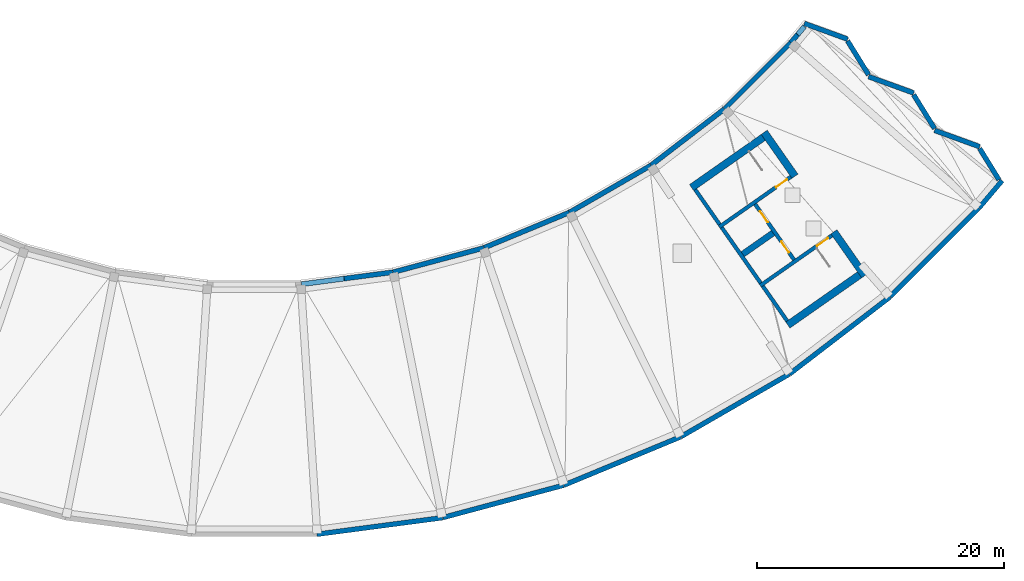
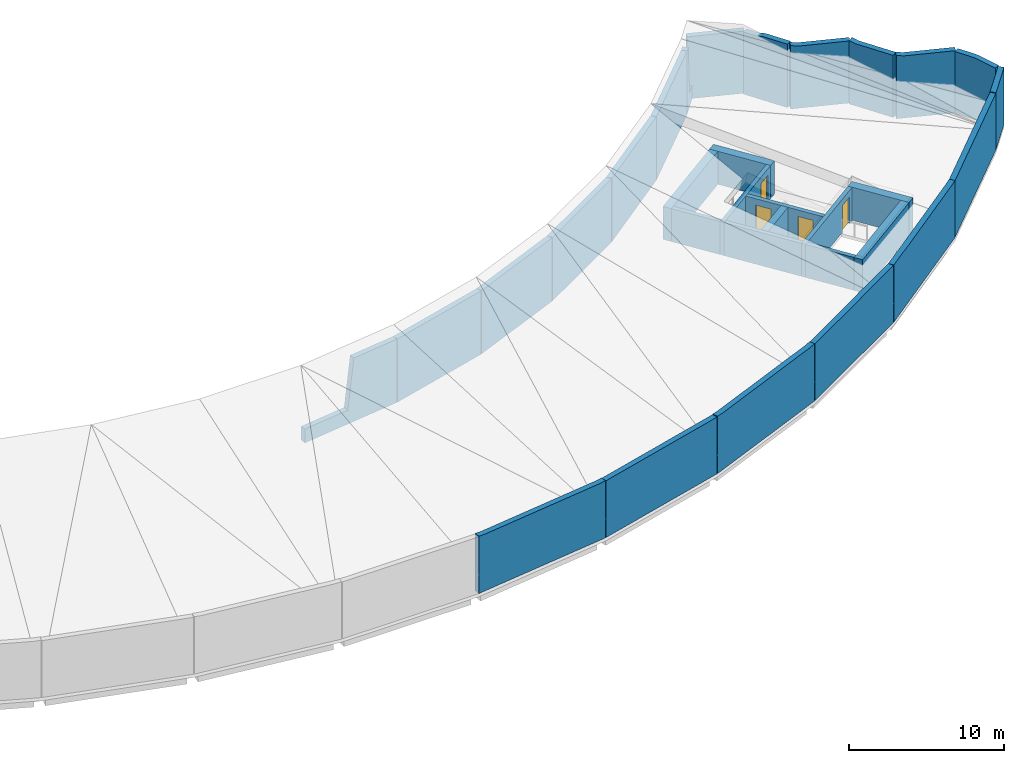
# One storey, part 5 of 6: 31 walls, 4 doors, 4 openings.
"""IFC4 building model written with IfcOpenShell, lengths in metres."""

from ifc_helpers import new_model, si_unit, direction, frame, frame_2d, origin, place, context, subcontext, project, spatial, polyline, rectangle, outline, extrude, material, layer, layer_set, type_object, element, fill, save


model = new_model("IFC4")

# Units and contexts
model_context = context("Model", 3, precision=1e-05, world=origin(), true_north=direction((0.0, 1.0)))
body_context = subcontext(model_context, "Body", "Model", "MODEL_VIEW")
ifc_project = project(units=[si_unit("LENGTHUNIT", "METRE"), si_unit("AREAUNIT", "SQUARE_METRE"), si_unit("VOLUMEUNIT", "CUBIC_METRE"), si_unit("PLANEANGLEUNIT", "RADIAN"), si_unit("MASSUNIT", "GRAM", prefix="KILO")], contexts=[model_context])

# Site, building, storey
site_placement = place(None, origin())
site = spatial("IfcSite", under=ifc_project, at=site_placement, CompositionType="ELEMENT")
building_placement = place(site_placement, origin())
building = spatial("IfcBuilding", under=site, at=building_placement, Name="Qamariyya Broadcast Tower", CompositionType="ELEMENT")
storey_placement = place(building_placement, frame((0.0, 0.0, 318.699951171875)))
storey = spatial("IfcBuildingStorey", under=building, at=storey_placement, Name="Roof", CompositionType="ELEMENT", Elevation=318.699951171875)

# Wall
ifc_material_1 = material(Name="Concrete C60/75", Category="concrete")
ifc_layer_1 = layer(ifc_material_1, 0.5)
ifc_layer_set_1 = layer_set([ifc_layer_1], Name="Head-house divider wall 500 mm Concrete C60/75")
wall_type_1 = type_object("IfcWallType", Name="Head-house divider wall 500 mm Concrete C60/75", PredefinedType="SOLIDWALL", material=ifc_layer_set_1)
wall_1_placement = place(storey_placement, frame((39.59912109375, -55.28515625, 0.0), z_axis=(0.0, 0.0, 1.0), x_axis=(0.819136323161, 0.573598887793, 0.0)))
element("IfcWall", 1, at=wall_1_placement, inside=storey, type_object=wall_type_1, Name="k-E-Roof-OD", PredefinedType="SOLIDWALL", context=body_context, shape_type="SweptSolid", body=[
    extrude(rectangle(XDim=2.999755859375, YDim=0.5, at=frame_2d((1.5, 0.0))), origin(), (0.0, 0.0, 1.0), 2.60009765625),
])

# Wall, opening, door
ifc_layer_2 = layer(ifc_material_1, 0.300048828125)
ifc_layer_set_2 = layer_set([ifc_layer_2], Name="Head-house enclosure wall 300 mm Concrete C60/75")
wall_type_2 = type_object("IfcWallType", Name="Head-house enclosure wall 300 mm Concrete C60/75", PredefinedType="SOLIDWALL", material=ifc_layer_set_2)
wall_2_placement = place(storey_placement, frame((37.68994140625, -53.081787109375, 0.0), z_axis=(0.0, 0.0, 1.0), x_axis=(0.819138151105, 0.573596277363, 0.0)))
wall_2 = element("IfcWall", 2, at=wall_2_placement, inside=storey, type_object=wall_type_2, Name="k-E-Roof-NHI", PredefinedType="SOLIDWALL", context=body_context, shape_type="SweptSolid", body=[
    extrude(rectangle(XDim=7.09521484375, YDim=0.300048828125, at=frame_2d((3.547607421875, 0.0))), origin(), (0.0, 0.0, 1.0), 2.60009765625),
])
opening_1_placement = place(wall_2_placement, frame((5.620361328125, 0.0, 0.0)))
opening_1 = element("IfcOpeningElement", 3, at=opening_1_placement, cuts=wall_2, Name="Opening KD1-E1", PredefinedType="OPENING", context=body_context, shape_type="SweptSolid", body=[
    extrude(rectangle(XDim=1.10009765625, YDim=2.10009765625, at=frame_2d((0.550048828125, 1.050048828125))), frame((0.0, 0.159912109375, 0.0), z_axis=(0.0, -1.0, 0.0), x_axis=(1.0, 0.0, 0.0)), (0.0, 0.0, 1.0), 0.320068359375),
])
ifc_material_2 = material(Name="Steel fire-resisting door leaf", Category="steel")
door_type_1 = type_object("IfcDoorType", Name="Stair door KD1", OperationType="SINGLE_SWING_LEFT", PredefinedType="DOOR", material=ifc_material_2)
door_1_placement = place(opening_1_placement, origin())
door_1 = element("IfcDoor", 4, at=door_1_placement, inside=storey, type_object=door_type_1, Name="k-E-Roof-NHI-D1", OperationType="SINGLE_SWING_LEFT", OverallHeight=2.10009765625, OverallWidth=1.10009765625, PredefinedType="DOOR", context=body_context, shape_type="SweptSolid", body=[
    extrude(rectangle(XDim=1.10009765625, YDim=2.10009765625, at=frame_2d((0.550048828125, 1.050048828125))), frame((0.0, 0.02490234375, 0.0), z_axis=(0.0, -1.0, 0.0), x_axis=(1.0, 0.0, 0.0)), (0.0, 0.0, 1.0), 0.050048828125),
])
fill(opening_1, door_1)

# Wall
wall_3_placement = place(storey_placement, frame((37.726806640625, -52.872802734375, 0.0), z_axis=(0.0, 0.0, 1.0), x_axis=(-0.573595312041, 0.819138827065, 0.0)))
element("IfcWall", 5, at=wall_3_placement, inside=storey, type_object=wall_type_2, Name="k-E-Roof-NHW", PredefinedType="SOLIDWALL", context=body_context, shape_type="SweptSolid", body=[
    extrude(rectangle(XDim=3.4501953125, YDim=0.300048828125, at=frame_2d((1.72509765625, 0.0))), origin(), (0.0, 0.0, 1.0), 2.60009765625),
])

# Wall, opening, door
wall_4_placement = place(storey_placement, frame((41.0166015625, -57.832763671875, 0.0), z_axis=(0.0, 0.0, 1.0), x_axis=(0.819165638072, 0.573557021927, 0.0)))
wall_4 = element("IfcWall", 6, at=wall_4_placement, inside=storey, type_object=wall_type_2, Name="k-E-Roof-SHI", PredefinedType="SOLIDWALL", context=body_context, shape_type="SweptSolid", body=[
    extrude(rectangle(XDim=7.09521484375, YDim=0.300048828125, at=frame_2d((3.547607421875, 0.0))), origin(), (0.0, 0.0, 1.0), 2.60009765625),
])
opening_2_placement = place(wall_4_placement, frame((5.620361328125, 0.0, 0.0)))
opening_2 = element("IfcOpeningElement", 7, at=opening_2_placement, cuts=wall_4, Name="Opening KD1-E2", PredefinedType="OPENING", context=body_context, shape_type="SweptSolid", body=[
    extrude(rectangle(XDim=1.10009765625, YDim=2.10009765625, at=frame_2d((0.550048828125, 1.050048828125))), frame((0.0, 0.159912109375, 0.0), z_axis=(0.0, -1.0, 0.0), x_axis=(1.0, 0.0, 0.0)), (0.0, 0.0, 1.0), 0.320068359375),
])
door_2_placement = place(opening_2_placement, origin())
door_2 = element("IfcDoor", 8, at=door_2_placement, inside=storey, type_object=door_type_1, Name="k-E-Roof-SHI-D2", OperationType="SINGLE_SWING_RIGHT", OverallHeight=2.10009765625, OverallWidth=1.10009765625, PredefinedType="DOOR", context=body_context, shape_type="SweptSolid", body=[
    extrude(rectangle(XDim=1.10009765625, YDim=2.10009765625, at=frame_2d((0.550048828125, 1.050048828125))), frame((0.0, 0.02490234375, 0.0), z_axis=(0.0, -1.0, 0.0), x_axis=(1.0, 0.0, 0.0)), (0.0, 0.0, 1.0), 0.050048828125),
])
fill(opening_2, door_2)

# Walls
wall_5_placement = place(storey_placement, frame((41.2255859375, -57.86962890625, 0.0), z_axis=(0.0, 0.0, 1.0), x_axis=(0.573547828788, -0.819172074776, 0.0)))
element("IfcWall", 9, at=wall_5_placement, inside=storey, type_object=wall_type_2, Name="k-E-Roof-SHW", PredefinedType="SOLIDWALL", context=body_context, shape_type="SweptSolid", body=[
    extrude(rectangle(XDim=3.449951171875, YDim=0.300048828125, at=frame_2d((1.72509765625, 0.0))), origin(), (0.0, 0.0, 1.0), 2.60009765625),
])
wall_6_placement = place(storey_placement, frame((41.053466796875, -57.623779296875, 0.0), z_axis=(0.0, 0.0, 1.0), x_axis=(-0.57358745946, 0.819144325714, 0.0)))
element("IfcWall", 10, at=wall_6_placement, inside=storey, type_object=wall_type_2, Name="k-E-Roof-OB", PredefinedType="SOLIDWALL", context=body_context, shape_type="SweptSolid", body=[
    extrude(rectangle(XDim=5.5, YDim=0.300048828125, at=frame_2d((2.75, 0.0))), origin(), (0.0, 0.0, 1.0), 2.60009765625),
])

# Wall, openings, doors
wall_7_placement = place(storey_placement, frame((43.756591796875, -55.731201171875, 0.0), z_axis=(0.0, 0.0, 1.0), x_axis=(-0.573536818435, 0.819179783625, 0.0)))
wall_7 = element("IfcWall", 11, at=wall_7_placement, inside=storey, type_object=wall_type_2, Name="k-E-Roof-OF", PredefinedType="SOLIDWALL", context=body_context, shape_type="SweptSolid", body=[
    extrude(rectangle(XDim=5.500244140625, YDim=0.300048828125, at=frame_2d((2.75, 0.0))), origin(), (0.0, 0.0, 1.0), 2.60009765625),
])
opening_3_placement = place(wall_7_placement, frame((0.699951171875, 0.0, 0.0)))
opening_3 = element("IfcOpeningElement", 12, at=opening_3_placement, cuts=wall_7, Name="Opening LD", PredefinedType="OPENING", context=body_context, shape_type="SweptSolid", body=[
    extrude(rectangle(XDim=1.10009765625, YDim=2.10009765625, at=frame_2d((0.550048828125, 1.050048828125))), frame((0.0, 0.159912109375, 0.0), z_axis=(0.0, -1.0, 0.0), x_axis=(1.0, 0.0, 0.0)), (0.0, 0.0, 1.0), 0.320068359375),
])
opening_4_placement = place(wall_7_placement, frame((3.699951171875, 0.0, 0.0)))
opening_4 = element("IfcOpeningElement", 13, at=opening_4_placement, cuts=wall_7, Name="Opening LD", PredefinedType="OPENING", context=body_context, shape_type="SweptSolid", body=[
    extrude(rectangle(XDim=1.10009765625, YDim=2.10009765625, at=frame_2d((0.550048828125, 1.050048828125))), frame((0.0, 0.159912109375, 0.0), z_axis=(0.0, -1.0, 0.0), x_axis=(1.0, 0.0, 0.0)), (0.0, 0.0, 1.0), 0.320068359375),
])
door_type_2 = type_object("IfcDoorType", Name="Lift landing door LD", OperationType="DOUBLE_DOOR_SLIDING", PredefinedType="DOOR", material=ifc_material_2)
door_3_placement = place(opening_3_placement, origin())
door_3 = element("IfcDoor", 14, at=door_3_placement, inside=storey, type_object=door_type_2, Name="k-E-Roof-OF-D3", OperationType="DOUBLE_DOOR_SLIDING", OverallHeight=2.10009765625, OverallWidth=1.10009765625, PredefinedType="DOOR", context=body_context, shape_type="SweptSolid", body=[
    extrude(rectangle(XDim=1.10009765625, YDim=2.10009765625, at=frame_2d((0.550048828125, 1.050048828125))), frame((0.0, 0.02490234375, 0.0), z_axis=(0.0, -1.0, 0.0), x_axis=(1.0, 0.0, 0.0)), (0.0, 0.0, 1.0), 0.050048828125),
])
fill(opening_3, door_3)
door_4_placement = place(opening_4_placement, origin())
door_4 = element("IfcDoor", 15, at=door_4_placement, inside=storey, type_object=door_type_2, Name="k-E-Roof-OF-D4", OperationType="DOUBLE_DOOR_SLIDING", OverallHeight=2.10009765625, OverallWidth=1.10009765625, PredefinedType="DOOR", context=body_context, shape_type="SweptSolid", body=[
    extrude(rectangle(XDim=1.10009765625, YDim=2.10009765625, at=frame_2d((0.550048828125, 1.050048828125))), frame((0.0, 0.02490234375, 0.0), z_axis=(0.0, -1.0, 0.0), x_axis=(1.0, 0.0, 0.0)), (0.0, 0.0, 1.0), 0.050048828125),
])
fill(opening_4, door_4)

# Walls
ifc_layer_3 = layer(ifc_material_1, 0.60009765625)
ifc_layer_set_3 = layer_set([ifc_layer_3], Name="Head-house wall 600 mm Concrete C60/75")
wall_type_3 = type_object("IfcWallType", Name="Head-house wall 600 mm Concrete C60/75", PredefinedType="SOLIDWALL", material=ifc_layer_set_3)
wall_8_placement = place(storey_placement, frame((35.452880859375, -49.886962890625, 0.0), z_axis=(0.0, 0.0, 1.0), x_axis=(0.819165638072, 0.573557021927, 0.0)))
element("IfcWall", 16, at=wall_8_placement, inside=storey, type_object=wall_type_3, Name="k-E-Roof-NHO", PredefinedType="SOLIDWALL", context=body_context, shape_type="SweptSolid", body=[
    extrude(rectangle(XDim=7.09521484375, YDim=0.60009765625, at=frame_2d((3.547607421875, 0.0))), origin(), (0.0, 0.0, 1.0), 2.60009765625),
])
wall_9_placement = place(storey_placement, frame((43.833740234375, -48.962890625, 0.0), z_axis=(0.0, 0.0, 1.0), x_axis=(-0.573530143085, 0.819184457233, 0.0)))
element("IfcWall", 17, at=wall_9_placement, inside=storey, type_object=wall_type_3, Name="k-E-Roof-NHE", PredefinedType="SOLIDWALL", context=body_context, shape_type="SweptSolid", body=[
    extrude(rectangle(XDim=4.35009765625, YDim=0.60009765625, at=frame_2d((2.175048828125, 0.0))), origin(), (0.0, 0.0, 1.0), 2.60009765625),
])
wall_10_placement = place(storey_placement, frame((43.253662109375, -61.027587890625, 0.0), z_axis=(0.0, 0.0, 1.0), x_axis=(0.819138151105, 0.573596277363, 0.0)))
element("IfcWall", 18, at=wall_10_placement, inside=storey, type_object=wall_type_3, Name="k-E-Roof-SHO", PredefinedType="SOLIDWALL", context=body_context, shape_type="SweptSolid", body=[
    extrude(rectangle(XDim=7.09521484375, YDim=0.60009765625, at=frame_2d((3.547607421875, 0.0))), origin(), (0.0, 0.0, 1.0), 2.60009765625),
])
wall_11_placement = place(storey_placement, frame((46.988525390625, -53.468017578125, 0.0), z_axis=(0.0, 0.0, 1.0), x_axis=(0.573530143085, -0.819184457233, 0.0)))
element("IfcWall", 19, at=wall_11_placement, inside=storey, type_object=wall_type_3, Name="k-E-Roof-SHE", PredefinedType="SOLIDWALL", context=body_context, shape_type="SweptSolid", body=[
    extrude(rectangle(XDim=4.35009765625, YDim=0.60009765625, at=frame_2d((2.175048828125, 0.0))), origin(), (0.0, 0.0, 1.0), 2.60009765625),
])
ifc_material_3 = material(Name="Terracotta", Category="masonry")
ifc_layer_4 = layer(ifc_material_3, 0.39990234375)
ifc_layer_set_4 = layer_set([ifc_layer_4], Name="Parapet wall, terracotta clad 400")
wall_type_4 = type_object("IfcWallType", Name="Parapet wall, terracotta clad 400", PredefinedType="PARAPET", material=ifc_layer_set_4)
wall_12_placement = place(storey_placement, frame((60.36962890625, -49.252685546875, 0.0), z_axis=(0.0, 0.0, 1.0), x_axis=(-0.525538284274, 0.850769952315, 0.0)))
element("IfcWall", 20, at=wall_12_placement, inside=storey, type_object=wall_type_4, Name="e-wl-Roof-capE0", PredefinedType="PARAPET", context=body_context, shape_type="SweptSolid", body=[
    extrude(outline(polyline([(0.0, 0.0), (2.976318359375, 0.0), (2.9765625, 4.89013671875), (2.48046875, 4.89013671875), (1.984375, 4.89013671875), (1.48828125, 4.86328125), (0.9921875, 4.763916015625), (0.49609375, 4.66455078125), (0.0, 4.56494140625), (0.0, 0.0)])), frame((0.0, 0.199951171875, 0.0), z_axis=(0.0, -1.0, 0.0), x_axis=(1.0, 0.0, 0.0)), (0.0, 0.0, 1.0), 0.39990234375),
])
wall_13_placement = place(storey_placement, frame((58.806396484375, -46.57421875, 0.0), z_axis=(0.0, 0.0, 1.0), x_axis=(-0.940075029039, 0.340967652099, 0.0)))
element("IfcWall", 21, at=wall_13_placement, inside=storey, type_object=wall_type_4, Name="e-wl-Roof-capE1", PredefinedType="PARAPET", context=body_context, shape_type="SweptSolid", body=[
    extrude(outline(polyline([(0.0, 0.0), (3.893798828125, 0.0), (3.8935546875, 5.0), (3.406982421875, 4.89013671875), (2.920166015625, 4.89013671875), (2.43359375, 4.89013671875), (1.94677734375, 4.89013671875), (1.460205078125, 4.89013671875), (0.973388671875, 4.89013671875), (0.48681640625, 4.89013671875), (0.0, 4.89013671875), (0.0, 0.0)])), frame((0.0, 0.199951171875, 0.0), z_axis=(0.0, -1.0, 0.0), x_axis=(1.0, 0.0, 0.0)), (0.0, 0.0, 1.0), 0.39990234375),
])
wall_14_placement = place(storey_placement, frame((55.14697265625, -45.1005859375, 0.0), z_axis=(0.0, 0.0, 1.0), x_axis=(-0.525649491409, 0.850701247314, 0.0)))
element("IfcWall", 22, at=wall_14_placement, inside=storey, type_object=wall_type_4, Name="e-wl-Roof-capE2", PredefinedType="PARAPET", context=body_context, shape_type="SweptSolid", body=[
    extrude(outline(polyline([(0.0, 0.0), (3.21923828125, 0.0), (3.218994140625, 5.0), (2.75927734375, 4.89013671875), (2.29931640625, 4.89013671875), (1.83935546875, 4.89013671875), (1.379638671875, 4.89013671875), (0.919677734375, 4.89013671875), (0.4599609375, 4.89013671875), (0.0, 4.89013671875), (0.0, 0.0)])), frame((0.0, 0.199951171875, 0.0), z_axis=(0.0, -1.0, 0.0), x_axis=(1.0, 0.0, 0.0)), (0.0, 0.0, 1.0), 0.39990234375),
])
wall_15_placement = place(storey_placement, frame((53.455810546875, -42.216064453125, 0.0), z_axis=(0.0, 0.0, 1.0), x_axis=(-0.940086069154, 0.340937212083, 0.0)))
element("IfcWall", 23, at=wall_15_placement, inside=storey, type_object=wall_type_4, Name="e-wl-Roof-capE3", PredefinedType="PARAPET", context=body_context, shape_type="SweptSolid", body=[
    extrude(outline(polyline([(0.0, 0.0), (3.892578125, 0.0), (3.892822265625, 5.0), (3.406005859375, 4.89013671875), (2.91943359375, 4.89013671875), (2.432861328125, 4.89013671875), (1.9462890625, 4.89013671875), (1.459716796875, 4.89013671875), (0.97314453125, 4.89013671875), (0.486572265625, 4.89013671875), (0.0, 4.89013671875), (0.0, 0.0)])), frame((0.0, 0.199951171875, 0.0), z_axis=(0.0, -1.0, 0.0), x_axis=(1.0, 0.0, 0.0)), (0.0, 0.0, 1.0), 0.39990234375),
])
wall_16_placement = place(storey_placement, frame((49.797119140625, -40.742919921875, 0.0), z_axis=(0.0, 0.0, 1.0), x_axis=(-0.525678481137, 0.850683333838, 0.0)))
element("IfcWall", 24, at=wall_16_placement, inside=storey, type_object=wall_type_4, Name="e-wl-Roof-capE4", PredefinedType="PARAPET", context=body_context, shape_type="SweptSolid", body=[
    extrude(outline(polyline([(0.0, 0.0), (3.220458984375, 0.0), (3.22021484375, 4.89013671875), (2.76025390625, 4.89013671875), (2.300048828125, 4.89013671875), (1.840087890625, 5.0), (1.380126953125, 5.0), (0.920166015625, 5.0), (0.4599609375, 5.0), (0.0, 5.0), (0.0, 0.0)])), frame((0.0, 0.199951171875, 0.0), z_axis=(0.0, -1.0, 0.0), x_axis=(1.0, 0.0, 0.0)), (0.0, 0.0, 1.0), 0.39990234375),
])
wall_17_placement = place(storey_placement, frame((48.105224609375, -37.857421875, 0.0), z_axis=(0.0, 0.0, 1.0), x_axis=(-0.940130056589, 0.340815898541, 0.0)))
element("IfcWall", 25, at=wall_17_placement, inside=storey, type_object=wall_type_4, Name="e-wl-Roof-capE5", PredefinedType="PARAPET", context=body_context, shape_type="SweptSolid", body=[
    extrude(outline(polyline([(0.0, 0.0), (3.742919921875, 0.0), (3.74267578125, 4.89013671875), (3.27490234375, 4.89013671875), (2.80712890625, 4.89013671875), (2.339111328125, 4.89013671875), (1.871337890625, 4.89013671875), (1.403564453125, 4.89013671875), (0.935791015625, 4.89013671875), (0.4677734375, 4.89013671875), (0.0, 4.89013671875), (0.0, 0.0)])), frame((0.0, 0.199951171875, 0.0), z_axis=(0.0, -1.0, 0.0), x_axis=(1.0, 0.0, 0.0)), (0.0, 0.0, 1.0), 0.39990234375),
])
wall_18_placement = place(storey_placement, frame((25.539794921875, -51.90380859375, 0.0), z_axis=(0.0, 0.0, 1.0), x_axis=(-0.923872151004, -0.382701252414, 0.0)))
element("IfcWall", 26, at=wall_18_placement, inside=storey, type_object=wall_type_4, Name="e-wl-Roof-in100", PredefinedType="PARAPET", context=body_context, shape_type="SweptSolid", body=[
    extrude(outline(polyline([(0.0, 0.0), (7.4658203125, 0.0), (7.4658203125, 4.98681640625), (6.968017578125, 4.98681640625), (6.47021484375, 4.98681640625), (5.97265625, 4.98681640625), (5.474853515625, 4.98681640625), (4.97705078125, 4.98681640625), (4.4794921875, 4.98681640625), (3.981689453125, 4.98681640625), (3.484130859375, 4.98681640625), (2.986328125, 4.98681640625), (2.488525390625, 4.98681640625), (1.990966796875, 4.98681640625), (1.4931640625, 4.98681640625), (0.995361328125, 4.98681640625), (0.497802734375, 4.98681640625), (0.0, 4.98681640625), (0.0, 0.0)])), frame((0.0, 0.199951171875, 0.0), z_axis=(0.0, -1.0, 0.0), x_axis=(1.0, 0.0, 0.0)), (0.0, 0.0, 1.0), 0.39990234375),
])
wall_19_placement = place(storey_placement, frame((32.16162109375, -48.08837890625, 0.0), z_axis=(0.0, 0.0, 1.0), x_axis=(-0.866025463095, -0.499999897272, 0.0)))
element("IfcWall", 27, at=wall_19_placement, inside=storey, type_object=wall_type_4, Name="e-wl-Roof-in110", PredefinedType="PARAPET", context=body_context, shape_type="SweptSolid", body=[
    extrude(outline(polyline([(0.0, 0.0), (7.6171875, 0.0), (7.6171875, 4.986572265625), (7.14111328125, 4.98681640625), (6.6650390625, 4.98681640625), (6.18896484375, 4.98681640625), (5.712890625, 4.98681640625), (5.23681640625, 4.98681640625), (4.7607421875, 4.98681640625), (4.28466796875, 4.98681640625), (3.80859375, 4.98681640625), (3.33251953125, 4.98681640625), (2.8564453125, 4.98681640625), (2.38037109375, 4.98681640625), (1.904296875, 4.98681640625), (1.42822265625, 4.98681640625), (0.9521484375, 4.98681640625), (0.47607421875, 4.98681640625), (0.0, 4.986572265625), (0.0, 0.0)])), frame((0.0, 0.199951171875, 0.0), z_axis=(0.0, -1.0, 0.0), x_axis=(1.0, 0.0, 0.0)), (0.0, 0.0, 1.0), 0.39990234375),
])
wall_20_placement = place(storey_placement, frame((38.103271484375, -43.525146484375, 0.0), z_axis=(0.0, 0.0, 1.0), x_axis=(-0.793355236357, -0.608758957999, 0.0)))
element("IfcWall", 28, at=wall_20_placement, inside=storey, type_object=wall_type_4, Name="e-wl-Roof-in120", PredefinedType="PARAPET", context=body_context, shape_type="SweptSolid", body=[
    extrude(outline(polyline([(0.0, 0.0), (7.4658203125, 0.0), (7.4658203125, 4.98681640625), (6.968017578125, 4.98681640625), (6.47021484375, 4.98681640625), (5.97265625, 4.98681640625), (5.474853515625, 4.98681640625), (4.97705078125, 4.98681640625), (4.4794921875, 4.98681640625), (3.981689453125, 4.98681640625), (3.484130859375, 4.98681640625), (2.986328125, 4.98681640625), (2.488525390625, 4.98681640625), (1.990966796875, 4.98681640625), (1.4931640625, 4.98681640625), (0.995361328125, 4.98681640625), (0.497802734375, 4.98681640625), (0.0, 4.98681640625), (0.0, 0.0)])), frame((0.0, 0.199951171875, 0.0), z_axis=(0.0, -1.0, 0.0), x_axis=(1.0, 0.0, 0.0)), (0.0, 0.0, 1.0), 0.39990234375),
])
wall_21_placement = place(storey_placement, frame((43.50146484375, -38.13623046875, 0.0), z_axis=(0.0, 0.0, 1.0), x_axis=(-0.707106781187, -0.707106781187, 0.0)))
element("IfcWall", 29, at=wall_21_placement, inside=storey, type_object=wall_type_4, Name="e-wl-Roof-in130", PredefinedType="PARAPET", context=body_context, shape_type="SweptSolid", body=[
    extrude(outline(polyline([(0.0, 0.0), (7.6025390625, 0.0), (7.6025390625, 4.986572265625), (7.127197265625, 4.98681640625), (6.652099609375, 4.98681640625), (6.177001953125, 4.98681640625), (5.701904296875, 4.98681640625), (5.226806640625, 4.98681640625), (4.75146484375, 4.98681640625), (4.2763671875, 4.98681640625), (3.80126953125, 4.98681640625), (3.326171875, 4.98681640625), (2.850830078125, 4.98681640625), (2.375732421875, 4.98681640625), (1.900634765625, 4.98681640625), (1.425537109375, 4.98681640625), (0.9501953125, 4.98681640625), (0.47509765625, 4.98681640625), (0.0, 4.98681640625), (0.0, 0.0)])), frame((0.0, 0.199951171875, 0.0), z_axis=(0.0, -1.0, 0.0), x_axis=(1.0, 0.0, 0.0)), (0.0, 0.0, 1.0), 0.39990234375),
])
wall_22_placement = place(storey_placement, frame((44.59814453125, -36.8369140625, 0.0), z_axis=(0.0, 0.0, 1.0), x_axis=(-0.645545650865, -0.763721685334, 0.0)))
element("IfcWall", 30, at=wall_22_placement, inside=storey, type_object=wall_type_4, Name="e-wl-Roof-in140", PredefinedType="PARAPET", context=body_context, shape_type="SweptSolid", body=[
    extrude(outline(polyline([(0.0, 0.0), (1.68359375, 0.0), (1.68359375, 4.987060546875), (1.2626953125, 4.987060546875), (0.841796875, 1.090087890625), (0.4208984375, 1.090087890625), (0.0, 1.090087890625), (0.0, 0.0)])), frame((0.0, 0.199951171875, 0.0), z_axis=(0.0, -1.0, 0.0), x_axis=(1.0, 0.0, 0.0)), (0.0, 0.0, 1.0), 0.39990234375),
])
wall_23_placement = place(storey_placement, frame((11.23583984375, -56.745361328125, 0.0), z_axis=(0.0, 0.0, 1.0), x_axis=(-0.991442493144, -0.130544179452, 0.0)))
element("IfcWall", 31, at=wall_23_placement, inside=storey, type_object=wall_type_4, Name="e-wl-Roof-in80", PredefinedType="PARAPET", context=body_context, shape_type="SweptSolid", body=[
    extrude(outline(polyline([(0.0, 0.0), (7.4658203125, 0.0), (7.4658203125, 1.090087890625), (6.968017578125, 1.090087890625), (6.47021484375, 1.090087890625), (5.97265625, 1.090087890625), (5.474853515625, 1.090087890625), (4.97705078125, 1.090087890625), (4.4794921875, 1.090087890625), (3.981689453125, 1.090087890625), (3.484130859375, 4.98681640625), (2.986328125, 4.98681640625), (2.488525390625, 4.98681640625), (1.990966796875, 4.98681640625), (1.4931640625, 4.98681640625), (0.995361328125, 4.98681640625), (0.497802734375, 4.98681640625), (0.0, 4.98681640625), (0.0, 0.0)])), frame((0.0, 0.199951171875, 0.0), z_axis=(0.0, -1.0, 0.0), x_axis=(1.0, 0.0, 0.0)), (0.0, 0.0, 1.0), 0.39990234375),
])
wall_24_placement = place(storey_placement, frame((18.61962890625, -54.77392578125, 0.0), z_axis=(0.0, 0.0, 1.0), x_axis=(-0.965927307138, -0.258813518437, 0.0)))
element("IfcWall", 32, at=wall_24_placement, inside=storey, type_object=wall_type_4, Name="e-wl-Roof-in90", PredefinedType="PARAPET", context=body_context, shape_type="SweptSolid", body=[
    extrude(outline(polyline([(0.0, 0.0), (7.6171875, 0.0), (7.6171875, 4.986572265625), (7.14111328125, 4.98681640625), (6.6650390625, 4.98681640625), (6.18896484375, 4.98681640625), (5.712890625, 4.98681640625), (5.23681640625, 4.98681640625), (4.7607421875, 4.98681640625), (4.28466796875, 4.98681640625), (3.80859375, 4.98681640625), (3.33251953125, 4.98681640625), (2.8564453125, 4.98681640625), (2.38037109375, 4.98681640625), (1.904296875, 4.98681640625), (1.42822265625, 4.98681640625), (0.9521484375, 4.98681640625), (0.47607421875, 4.98681640625), (0.0, 4.986572265625), (0.0, 0.0)])), frame((0.0, 0.199951171875, 0.0), z_axis=(0.0, -1.0, 0.0), x_axis=(1.0, 0.0, 0.0)), (0.0, 0.0, 1.0), 0.39990234375),
])
wall_25_placement = place(storey_placement, frame((25.09716796875, -74.01171875, 0.0), z_axis=(0.0, 0.0, 1.0), x_axis=(0.923877211741, 0.382689035152, 0.0)))
element("IfcWall", 33, at=wall_25_placement, inside=storey, type_object=wall_type_4, Name="e-wl-Roof-out100", PredefinedType="PARAPET", context=body_context, shape_type="SweptSolid", body=[
    extrude(outline(polyline([(0.0, 0.0), (10.2724609375, 0.0), (10.2724609375, 4.513916015625), (9.783203125, 4.47216796875), (9.294189453125, 4.47216796875), (8.804931640625, 4.47216796875), (8.315673828125, 4.47216796875), (7.82666015625, 4.47216796875), (7.33740234375, 4.47216796875), (6.848388671875, 4.47216796875), (6.359130859375, 4.47216796875), (5.869873046875, 4.47216796875), (5.380859375, 4.47216796875), (4.8916015625, 4.47216796875), (4.402587890625, 4.47216796875), (3.913330078125, 4.47216796875), (3.424072265625, 4.47216796875), (2.93505859375, 4.47216796875), (2.44580078125, 4.47216796875), (1.95654296875, 4.47216796875), (1.467529296875, 4.47216796875), (0.978271484375, 4.47216796875), (0.4892578125, 4.47216796875), (0.0, 4.513916015625), (0.0, 0.0)])), frame((0.0, 0.199951171875, 0.0), z_axis=(0.0, -1.0, 0.0), x_axis=(1.0, 0.0, 0.0)), (0.0, 0.0, 1.0), 0.39990234375),
])
wall_26_placement = place(storey_placement, frame((34.608642578125, -70.06494140625, 0.0), z_axis=(0.0, 0.0, 1.0), x_axis=(0.866019679839, 0.500009914033, 0.0)))
element("IfcWall", 34, at=wall_26_placement, inside=storey, type_object=wall_type_4, Name="e-wl-Roof-out110", PredefinedType="PARAPET", context=body_context, shape_type="SweptSolid", body=[
    extrude(outline(polyline([(0.0, 0.0), (10.120849609375, 0.0), (10.12109375, 4.5146484375), (9.63916015625, 4.5146484375), (9.156982421875, 4.5146484375), (8.675048828125, 4.5146484375), (8.193115234375, 4.5146484375), (7.711181640625, 4.5146484375), (7.229248046875, 4.5146484375), (6.747314453125, 4.5146484375), (6.265380859375, 4.5146484375), (5.783447265625, 4.47216796875), (5.301513671875, 4.47216796875), (4.819580078125, 4.47216796875), (4.337646484375, 4.47216796875), (3.855712890625, 4.47216796875), (3.373779296875, 4.47216796875), (2.8916015625, 4.47216796875), (2.40966796875, 4.47216796875), (1.927734375, 4.47216796875), (1.44580078125, 4.47216796875), (0.9638671875, 4.47216796875), (0.48193359375, 4.47216796875), (0.0, 4.47216796875), (0.0, 0.0)])), frame((0.0, 0.199951171875, 0.0), z_axis=(0.0, -1.0, 0.0), x_axis=(1.0, 0.0, 0.0)), (0.0, 0.0, 1.0), 0.39990234375),
])
wall_27_placement = place(storey_placement, frame((43.397705078125, -64.994140625, 0.0), z_axis=(0.0, 0.0, 1.0), x_axis=(0.793354972355, 0.608759302055, 0.0)))
element("IfcWall", 35, at=wall_27_placement, inside=storey, type_object=wall_type_4, Name="e-wl-Roof-out120", PredefinedType="PARAPET", context=body_context, shape_type="SweptSolid", body=[
    extrude(outline(polyline([(0.0, 0.0), (10.2724609375, 0.0), (10.2724609375, 4.513916015625), (9.783203125, 4.47216796875), (9.294189453125, 4.47216796875), (8.804931640625, 4.47216796875), (8.315673828125, 4.47216796875), (7.82666015625, 4.47216796875), (7.33740234375, 4.47216796875), (6.848388671875, 4.47216796875), (6.359130859375, 4.47216796875), (5.869873046875, 4.47216796875), (5.380859375, 4.47216796875), (4.8916015625, 4.47216796875), (4.402587890625, 4.47216796875), (3.913330078125, 4.47216796875), (3.424072265625, 4.47216796875), (2.93505859375, 4.47216796875), (2.44580078125, 4.47216796875), (1.95654296875, 4.47216796875), (1.467529296875, 4.5146484375), (0.978271484375, 4.5146484375), (0.4892578125, 4.5146484375), (0.0, 4.513916015625), (0.0, 0.0)])), frame((0.0, 0.199951171875, 0.0), z_axis=(0.0, -1.0, 0.0), x_axis=(1.0, 0.0, 0.0)), (0.0, 0.0, 1.0), 0.39990234375),
])
wall_28_placement = place(storey_placement, frame((51.5634765625, -58.719970703125, 0.0), z_axis=(0.0, 0.0, 1.0), x_axis=(0.707118813872, 0.707094748296, 0.0)))
element("IfcWall", 36, at=wall_28_placement, inside=storey, type_object=wall_type_4, Name="e-wl-Roof-out130", PredefinedType="PARAPET", context=body_context, shape_type="SweptSolid", body=[
    extrude(outline(polyline([(0.0, 0.0), (10.144775390625, 0.0), (10.14501953125, 4.47216796875), (9.661865234375, 4.47216796875), (9.1787109375, 4.47216796875), (8.695556640625, 4.47216796875), (8.212646484375, 4.47216796875), (7.7294921875, 4.47216796875), (7.246337890625, 4.47216796875), (6.76318359375, 4.47216796875), (6.2802734375, 4.47216796875), (5.797119140625, 4.47216796875), (5.31396484375, 4.47216796875), (4.830810546875, 4.47216796875), (4.347900390625, 4.47216796875), (3.86474609375, 4.47216796875), (3.381591796875, 4.47216796875), (2.8984375, 4.47216796875), (2.41552734375, 4.47216796875), (1.932373046875, 4.47216796875), (1.44921875, 4.47216796875), (0.966064453125, 4.47216796875), (0.483154296875, 4.47216796875), (0.0, 4.47216796875), (0.0, 0.0)])), frame((0.0, 0.199951171875, 0.0), z_axis=(0.0, -1.0, 0.0), x_axis=(1.0, 0.0, 0.0)), (0.0, 0.0, 1.0), 0.39990234375),
])
wall_29_placement = place(storey_placement, frame((58.74951171875, -51.53564453125, 0.0), z_axis=(0.0, 0.0, 1.0), x_axis=(0.6455801385, 0.763692532878, 0.0)))
element("IfcWall", 37, at=wall_29_placement, inside=storey, type_object=wall_type_4, Name="e-wl-Roof-out140", PredefinedType="PARAPET", context=body_context, shape_type="SweptSolid", body=[
    extrude(outline(polyline([(0.0, 0.0), (2.902099609375, 0.0), (2.902099609375, 4.514404296875), (2.41845703125, 4.47216796875), (1.934814453125, 4.47216796875), (1.451171875, 4.47216796875), (0.96728515625, 4.47216796875), (0.483642578125, 4.47216796875), (0.0, 4.514404296875), (0.0, 0.0)])), frame((0.0, 0.199951171875, 0.0), z_axis=(0.0, -1.0, 0.0), x_axis=(1.0, 0.0, 0.0)), (0.0, 0.0, 1.0), 0.39990234375),
])
wall_30_placement = place(storey_placement, frame((5.08642578125, -77.985595703125, 0.0), z_axis=(0.0, 0.0, 1.0), x_axis=(0.991444909321, 0.130525828027, 0.0)))
element("IfcWall", 38, at=wall_30_placement, inside=storey, type_object=wall_type_4, Name="e-wl-Roof-out80", PredefinedType="PARAPET", context=body_context, shape_type="SweptSolid", body=[
    extrude(outline(polyline([(0.0, 0.0), (10.2724609375, 0.0), (10.2724609375, 4.513916015625), (9.783203125, 4.47216796875), (9.294189453125, 4.47216796875), (8.804931640625, 4.47216796875), (8.315673828125, 4.47216796875), (7.82666015625, 4.47216796875), (7.33740234375, 4.47216796875), (6.848388671875, 4.47216796875), (6.359130859375, 4.47216796875), (5.869873046875, 4.47216796875), (5.380859375, 4.47216796875), (4.8916015625, 4.47216796875), (4.402587890625, 4.47216796875), (3.913330078125, 4.47216796875), (3.424072265625, 4.47216796875), (2.93505859375, 4.47216796875), (2.44580078125, 4.47216796875), (1.95654296875, 4.47216796875), (1.467529296875, 4.47216796875), (0.978271484375, 4.47216796875), (0.4892578125, 4.47216796875), (0.0, 4.513916015625), (0.0, 0.0)])), frame((0.0, 0.199951171875, 0.0), z_axis=(0.0, -1.0, 0.0), x_axis=(1.0, 0.0, 0.0)), (0.0, 0.0, 1.0), 0.39990234375),
])
wall_31_placement = place(storey_placement, frame((15.295166015625, -76.634765625, 0.0), z_axis=(0.0, 0.0, 1.0), x_axis=(0.965928778267, 0.258808027921, 0.0)))
element("IfcWall", 39, at=wall_31_placement, inside=storey, type_object=wall_type_4, Name="e-wl-Roof-out90", PredefinedType="PARAPET", context=body_context, shape_type="SweptSolid", body=[
    extrude(outline(polyline([(0.0, 0.0), (10.120849609375, 0.0), (10.12109375, 4.47216796875), (9.63916015625, 4.47216796875), (9.156982421875, 4.47216796875), (8.675048828125, 4.47216796875), (8.193115234375, 4.47216796875), (7.711181640625, 4.47216796875), (7.229248046875, 4.47216796875), (6.747314453125, 4.47216796875), (6.265380859375, 4.47216796875), (5.783447265625, 4.47216796875), (5.301513671875, 4.47216796875), (4.819580078125, 4.47216796875), (4.337646484375, 4.47216796875), (3.855712890625, 4.47216796875), (3.373779296875, 4.47216796875), (2.8916015625, 4.47216796875), (2.40966796875, 4.47216796875), (1.927734375, 4.47216796875), (1.44580078125, 4.47216796875), (0.9638671875, 4.47216796875), (0.48193359375, 4.47216796875), (0.0, 4.47216796875), (0.0, 0.0)])), frame((0.0, 0.199951171875, 0.0), z_axis=(0.0, -1.0, 0.0), x_axis=(1.0, 0.0, 0.0)), (0.0, 0.0, 1.0), 0.39990234375),
])

save(model, "model.ifc")
